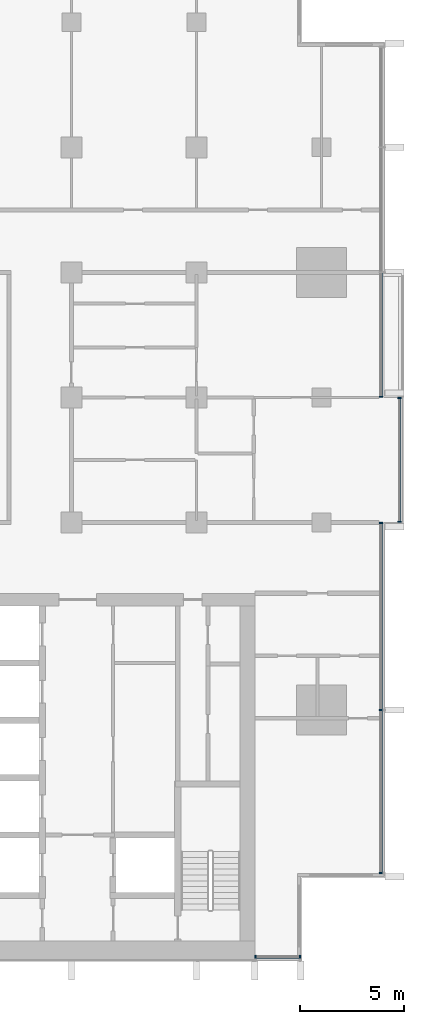
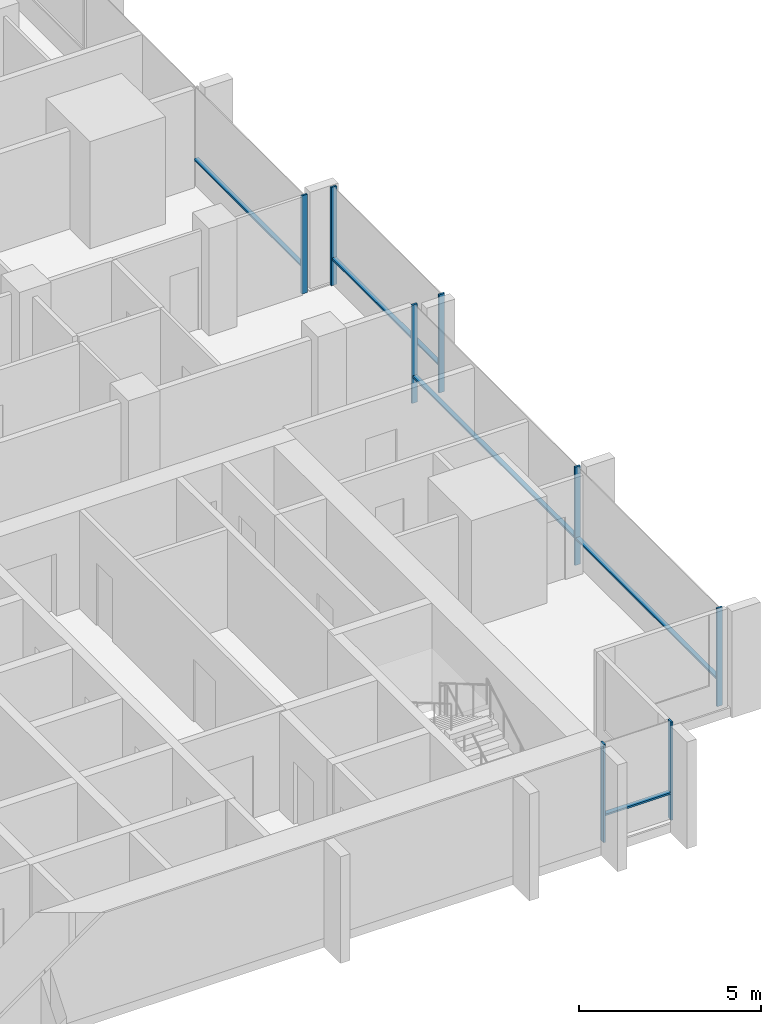
# One storey, part 3 of 16: 13 members, 4 elements without a shape of their own.
"""IFC4 building model written with IfcOpenShell, lengths in metres."""

from ifc_helpers import new_model, si_unit, direction, frame, origin, origin_2d, place, context, subcontext, project, spatial, rectangle, extrude, material, material_profile, profile_set, type_object, element, aggregate, save


model = new_model("IFC4")

# Units and contexts
model_context = context("Model", 3, precision=1e-05, world=origin(), true_north=direction((0.0, 1.0)))
body_context = subcontext(model_context, "Body", "Model", "MODEL_VIEW")
ifc_project = project(units=[si_unit("LENGTHUNIT", "METRE"), si_unit("AREAUNIT", "SQUARE_METRE"), si_unit("VOLUMEUNIT", "CUBIC_METRE"), si_unit("PLANEANGLEUNIT", "RADIAN"), si_unit("MASSUNIT", "GRAM", prefix="KILO")], contexts=[model_context])

# Site, building, storey
site_placement = place(None, origin())
site = spatial("IfcSite", under=ifc_project, at=site_placement, CompositionType="ELEMENT")
building_placement = place(site_placement, origin())
building = spatial("IfcBuilding", under=site, at=building_placement, Name="Finial Court Residences", CompositionType="ELEMENT")
storey_placement = place(building_placement, frame((0.0, 0.0, 185.300048828125)))
storey = spatial("IfcBuildingStorey", under=building, at=storey_placement, Name="L46", CompositionType="ELEMENT", Elevation=185.300048828125)

# Curtain wall, members
ifc_material = material(Name="Bronze anodised aluminium", Category="aluminium")
curtain_wall_type = type_object("IfcCurtainWallType", Name="Unitised curtain wall, upper zones", PredefinedType="NOTDEFINED", material=ifc_material)
curtain_wall_1_placement = place(storey_placement, origin())
curtain_wall_1 = element("IfcCurtainWall", 1, at=curtain_wall_1_placement, inside=storey, type_object=curtain_wall_type, Name="E-L46-CW-E4", PredefinedType="NOTDEFINED")
ifc_material_profile_1 = material_profile(ifc_material, rectangle(XDim=0.175048828125, YDim=0.06005859375, at=origin_2d()), Name="CW2 mullion 60 x 175")
ifc_profile_set_1 = profile_set([ifc_material_profile_1], Name="Bronze anodised aluminium")
member_type_1 = type_object("IfcMemberType", Name="CW2 mullion 60 x 175", PredefinedType="MULLION", material=ifc_profile_set_1)
member_1_placement = place(storey_placement, frame((19.35009765625, -21.320068359375, 0.0), z_axis=(0.0, 0.0, 1.0), x_axis=(-1.0, 0.0, 0.0)))
member_1 = element("IfcMember", 2, at=member_1_placement, type_object=member_type_1, Name="CW2 mullion 1", PredefinedType="MULLION", context=body_context, shape_type="SweptSolid", body=[
    extrude(rectangle(XDim=0.175048828125, YDim=0.06005859375, at=origin_2d()), origin(), (0.0, 0.0, 1.0), 3.300048828125),
])
member_2_placement = place(storey_placement, frame((19.35009765625, -13.5, 0.0), z_axis=(0.0, 0.0, 1.0), x_axis=(-1.0, 0.0, 0.0)))
member_2 = element("IfcMember", 3, at=member_2_placement, type_object=member_type_1, Name="CW2 mullion 2", PredefinedType="MULLION", context=body_context, shape_type="SweptSolid", body=[
    extrude(rectangle(XDim=0.175048828125, YDim=0.06005859375, at=origin_2d()), origin(), (0.0, 0.0, 1.0), 3.300048828125),
])
member_3_placement = place(storey_placement, frame((19.35009765625, -4.530029296875, 0.0), z_axis=(0.0, 0.0, 1.0), x_axis=(-1.0, 0.0, 0.0)))
member_3 = element("IfcMember", 4, at=member_3_placement, type_object=member_type_1, Name="CW2 mullion 3", PredefinedType="MULLION", context=body_context, shape_type="SweptSolid", body=[
    extrude(rectangle(XDim=0.175048828125, YDim=0.06005859375, at=origin_2d()), origin(), (0.0, 0.0, 1.0), 3.300048828125),
])

curtain_wall_2_placement = place(storey_placement, origin())
curtain_wall_2 = element("IfcCurtainWall", 5, at=curtain_wall_2_placement, inside=storey, type_object=curtain_wall_type, Name="E-L46-CW-E5", PredefinedType="NOTDEFINED")
member_4_placement = place(storey_placement, frame((20.25, -4.469970703125, 0.0), z_axis=(0.0, 0.0, 1.0), x_axis=(-1.0, 0.0, 0.0)))
member_4 = element("IfcMember", 6, at=member_4_placement, type_object=member_type_1, Name="CW2 mullion 1", PredefinedType="MULLION", context=body_context, shape_type="SweptSolid", body=[
    extrude(rectangle(XDim=0.175048828125, YDim=0.06005859375, at=origin_2d()), origin(), (0.0, 0.0, 1.0), 3.300048828125),
])
member_5_placement = place(storey_placement, frame((20.25, 1.469970703125, 0.0), z_axis=(0.0, 0.0, 1.0), x_axis=(-1.0, 0.0, 0.0)))
member_5 = element("IfcMember", 7, at=member_5_placement, type_object=member_type_1, Name="CW2 mullion 2", PredefinedType="MULLION", context=body_context, shape_type="SweptSolid", body=[
    extrude(rectangle(XDim=0.175048828125, YDim=0.06005859375, at=origin_2d()), origin(), (0.0, 0.0, 1.0), 3.300048828125),
])

# Curtain wall, member
curtain_wall_3_placement = place(storey_placement, origin())
curtain_wall_3 = element("IfcCurtainWall", 8, at=curtain_wall_3_placement, inside=storey, type_object=curtain_wall_type, Name="E-L46-CW-E6", PredefinedType="NOTDEFINED")
member_6_placement = place(storey_placement, frame((19.35009765625, 1.530029296875, 0.0), z_axis=(0.0, 0.0, 1.0), x_axis=(-1.0, 0.0, 0.0)))
member_6 = element("IfcMember", 9, at=member_6_placement, type_object=member_type_1, Name="CW2 mullion 1", PredefinedType="MULLION", context=body_context, shape_type="SweptSolid", body=[
    extrude(rectangle(XDim=0.175048828125, YDim=0.06005859375, at=origin_2d()), origin(), (0.0, 0.0, 1.0), 3.300048828125),
])

# Curtain wall, members
curtain_wall_4_placement = place(storey_placement, origin())
curtain_wall_4 = element("IfcCurtainWall", 10, at=curtain_wall_4_placement, inside=storey, type_object=curtain_wall_type, Name="E-L46-CW-S8", PredefinedType="NOTDEFINED")
member_7_placement = place(storey_placement, frame((13.330078125, -25.35009765625, 0.0), z_axis=(0.0, 0.0, 1.0), x_axis=(0.0, 1.0, 0.0)))
member_7 = element("IfcMember", 11, at=member_7_placement, type_object=member_type_1, Name="CW2 mullion 1", PredefinedType="MULLION", context=body_context, shape_type="SweptSolid", body=[
    extrude(rectangle(XDim=0.175048828125, YDim=0.06005859375, at=origin_2d()), origin(), (0.0, 0.0, 1.0), 3.300048828125),
])
member_8_placement = place(storey_placement, frame((15.469970703125, -25.35009765625, 0.0), z_axis=(0.0, 0.0, 1.0), x_axis=(0.0, 1.0, 0.0)))
member_8 = element("IfcMember", 12, at=member_8_placement, type_object=member_type_1, Name="CW2 mullion 2", PredefinedType="MULLION", context=body_context, shape_type="SweptSolid", body=[
    extrude(rectangle(XDim=0.175048828125, YDim=0.06005859375, at=origin_2d()), origin(), (0.0, 0.0, 1.0), 3.300048828125),
])

# Member
ifc_material_profile_2 = material_profile(ifc_material, rectangle(XDim=0.139892578125, YDim=0.06005859375, at=origin_2d()), Name="CW2 transom 60 x 140")
ifc_profile_set_2 = profile_set([ifc_material_profile_2], Name="Bronze anodised aluminium")
member_type_2 = type_object("IfcMemberType", Name="CW2 transom 60 x 140", PredefinedType="USERDEFINED", material=ifc_profile_set_2)
member_9_placement = place(storey_placement, frame((19.35009765625, -21.2900390625, 0.89990234375), z_axis=(0.0, 1.0, 0.0), x_axis=(-1.0, 0.0, 0.0)))
member_9 = element("IfcMember", 13, at=member_9_placement, type_object=member_type_2, Name="CW2 transom 1.1", ObjectType="TRANSOM", PredefinedType="USERDEFINED", context=body_context, shape_type="SweptSolid", body=[
    extrude(rectangle(XDim=0.139892578125, YDim=0.06005859375, at=origin_2d()), origin(), (0.0, 0.0, 1.0), 7.760009765625),
])

member_10_placement = place(storey_placement, frame((19.35009765625, -13.469970703125, 0.89990234375), z_axis=(0.0, 1.0, 0.0), x_axis=(-1.0, 0.0, 0.0)))
member_10 = element("IfcMember", 14, at=member_10_placement, type_object=member_type_2, Name="CW2 transom 2.1", ObjectType="TRANSOM", PredefinedType="USERDEFINED", context=body_context, shape_type="SweptSolid", body=[
    extrude(rectangle(XDim=0.139892578125, YDim=0.06005859375, at=origin_2d()), origin(), (0.0, 0.0, 1.0), 8.909912109375),
])

aggregate(curtain_wall_1, [member_1, member_2, member_3, member_9, member_10])

member_11_placement = place(storey_placement, frame((20.25, -4.43994140625, 0.89990234375), z_axis=(0.0, 1.0, 0.0), x_axis=(-1.0, 0.0, 0.0)))
member_11 = element("IfcMember", 15, at=member_11_placement, type_object=member_type_2, Name="CW2 transom 1.1", ObjectType="TRANSOM", PredefinedType="USERDEFINED", context=body_context, shape_type="SweptSolid", body=[
    extrude(rectangle(XDim=0.139892578125, YDim=0.06005859375, at=origin_2d()), origin(), (0.0, 0.0, 1.0), 5.8798828125),
])

aggregate(curtain_wall_2, [member_4, member_5, member_11])

member_12_placement = place(storey_placement, frame((19.35009765625, 1.56005859375, 0.89990234375), z_axis=(0.0, 1.0, 0.0), x_axis=(-1.0, 0.0, 0.0)))
member_12 = element("IfcMember", 16, at=member_12_placement, type_object=member_type_2, Name="CW2 transom 1.1", ObjectType="TRANSOM", PredefinedType="USERDEFINED", context=body_context, shape_type="SweptSolid", body=[
    extrude(rectangle(XDim=0.139892578125, YDim=0.06005859375, at=origin_2d()), origin(), (0.0, 0.0, 1.0), 5.909912109375),
])

aggregate(curtain_wall_3, [member_6, member_12])

member_13_placement = place(storey_placement, frame((13.360107421875, -25.35009765625, 0.89990234375), z_axis=(1.0, 0.0, 0.0), x_axis=(0.0, 1.0, 0.0)))
member_13 = element("IfcMember", 17, at=member_13_placement, type_object=member_type_2, Name="CW2 transom 1.1", ObjectType="TRANSOM", PredefinedType="USERDEFINED", context=body_context, shape_type="SweptSolid", body=[
    extrude(rectangle(XDim=0.139892578125, YDim=0.06005859375, at=origin_2d()), origin(), (0.0, 0.0, 1.0), 2.079833984375),
])

aggregate(curtain_wall_4, [member_7, member_8, member_13])

save(model, "model.ifc")
